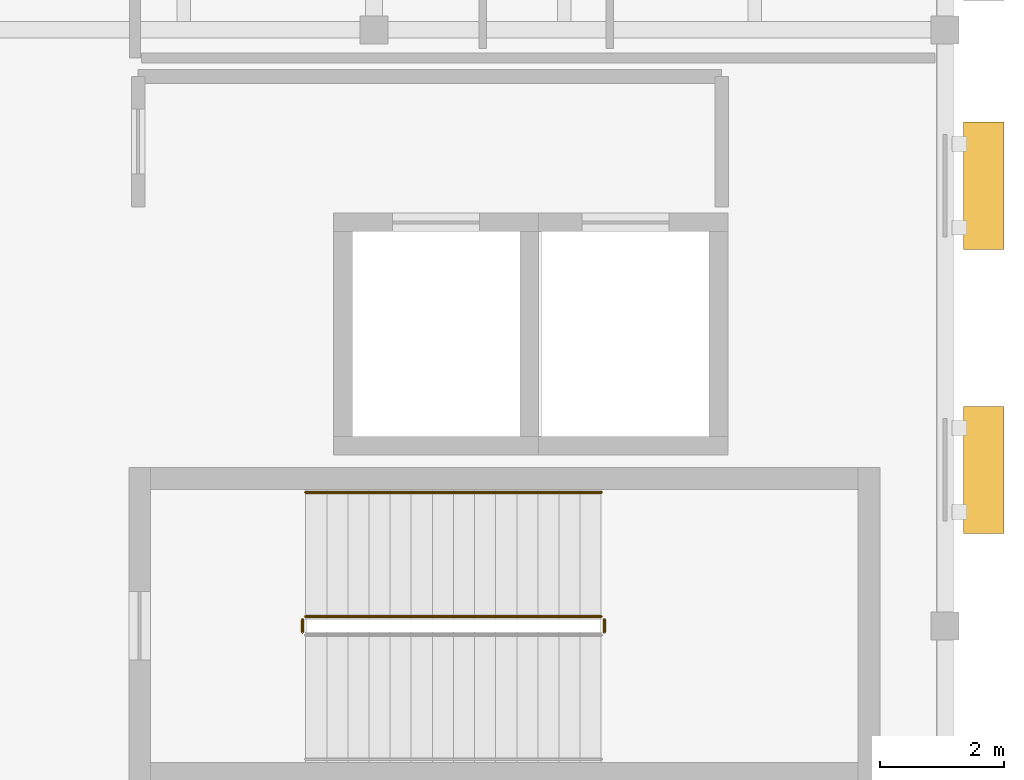
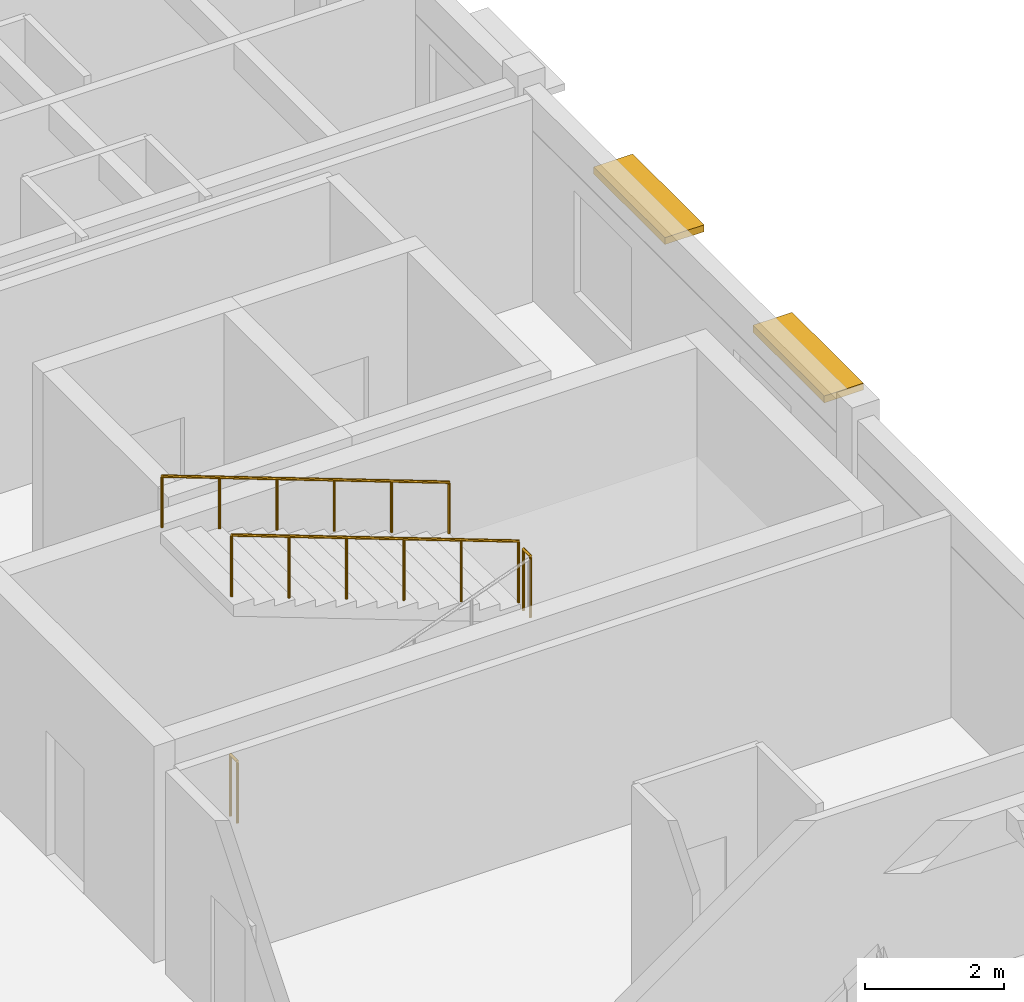
# One storey, part 15 of 18: 4 railings, 2 shading devices.
"""IFC4 building model written with IfcOpenShell, lengths in metres."""

from ifc_helpers import new_model, si_unit, direction, frame, origin, origin_2d, place, context, subcontext, project, spatial, rectangle, circle, extrude, material, type_object, element, save


model = new_model("IFC4")

# Units and contexts
model_context = context("Model", 3, precision=1e-05, world=origin(), true_north=direction((0.0, 1.0)))
body_context = subcontext(model_context, "Body", "Model", "MODEL_VIEW")
ifc_project = project(units=[si_unit("LENGTHUNIT", "METRE"), si_unit("AREAUNIT", "SQUARE_METRE"), si_unit("VOLUMEUNIT", "CUBIC_METRE"), si_unit("PLANEANGLEUNIT", "RADIAN"), si_unit("MASSUNIT", "GRAM", prefix="KILO")], contexts=[model_context])

# Site, building, storey
site_placement = place(None, origin())
site = spatial("IfcSite", under=ifc_project, at=site_placement, CompositionType="ELEMENT")
building_placement = place(site_placement, origin())
building = spatial("IfcBuilding", under=site, at=building_placement, Name="Veldera Park Congress Hotel", CompositionType="ELEMENT")
storey_placement = place(building_placement, frame((0.0, 0.0, 31.39990234375)))
storey = spatial("IfcBuildingStorey", under=building, at=storey_placement, Name="L07", CompositionType="ELEMENT", Elevation=31.39990234375)

# Railings
ifc_material_1 = material(Name="Steel ASTM A992 Gr.50", Category="steel")
railing_type_1 = type_object("IfcRailingType", Name="GRD-ST110", PredefinedType="GUARDRAIL", material=ifc_material_1)
railing_1_placement = place(storey_placement, frame((78.510009765625, -9.10009765625, 1.900146484375)))
element("IfcRailing", 1, at=railing_1_placement, inside=storey, type_object=railing_type_1, Name="L07 ST2 stair guard 2", PredefinedType="GUARDRAIL", context=body_context, shape_type="SweptSolid", body=[
    extrude(circle(Radius=0.02392578125, at=origin_2d()), frame((0.0, 0.0, 1.076171875), z_axis=(0.0, 1.0, 0.0), x_axis=(-1.0, 0.0, 0.0)), (0.0, 0.0, 1.0), 0.2001953125),
    extrude(circle(Radius=0.02099609375, at=origin_2d()), origin(), (0.0, 0.0, 1.0), 1.052001953125),
    extrude(circle(Radius=0.02099609375, at=origin_2d()), frame((0.0, 0.2001953125, 0.0)), (0.0, 0.0, 1.0), 1.052001953125),
])
railing_2_placement = place(storey_placement, frame((78.4599609375, -8.85009765625, 2.02685546875)))
element("IfcRailing", 2, at=railing_2_placement, inside=storey, type_object=railing_type_1, Name="L07 ST2 stair guard 3", PredefinedType="GUARDRAIL", context=body_context, shape_type="SweptSolid", body=[
    extrude(circle(Radius=0.02392578125, at=origin_2d()), frame((0.0, 0.0, 1.076171875), z_axis=(-0.937091363699, 0.0, 0.349084196263), x_axis=(0.0, -1.0, 0.0)), (0.0, 0.0, 1.0), 5.07958984375),
    extrude(circle(Radius=0.02099609375, at=origin_2d()), origin(), (0.0, 0.0, 1.0), 1.052001953125),
    extrude(circle(Radius=0.02099609375, at=origin_2d()), frame((-0.951904296875, 0.0, 0.354736328125)), (0.0, 0.0, 1.0), 1.052001953125),
    extrude(circle(Radius=0.02099609375, at=origin_2d()), frame((-1.904052734375, 0.0, 0.709228515625)), (0.0, 0.0, 1.0), 1.052001953125),
    extrude(circle(Radius=0.02099609375, at=origin_2d()), frame((-2.85595703125, 0.0, 1.06396484375)), (0.0, 0.0, 1.0), 1.052001953125),
    extrude(circle(Radius=0.02099609375, at=origin_2d()), frame((-3.80810546875, 0.0, 1.41845703125)), (0.0, 0.0, 1.0), 1.052001953125),
    extrude(circle(Radius=0.02099609375, at=origin_2d()), frame((-4.760009765625, 0.0, 1.773193359375)), (0.0, 0.0, 1.0), 1.052001953125),
])
railing_3_placement = place(storey_placement, frame((73.64990234375, -9.10009765625, 0.0)))
element("IfcRailing", 3, at=railing_3_placement, inside=storey, type_object=railing_type_1, Name="L07 ST2 stair guard 4", PredefinedType="GUARDRAIL", context=body_context, shape_type="SweptSolid", body=[
    extrude(circle(Radius=0.02392578125, at=origin_2d()), frame((0.0, 0.0, 1.076171875), z_axis=(0.0, 1.0, 0.0), x_axis=(-1.0, 0.0, 0.0)), (0.0, 0.0, 1.0), 0.2001953125),
    extrude(circle(Radius=0.02099609375, at=origin_2d()), origin(), (0.0, 0.0, 1.0), 1.052001953125),
    extrude(circle(Radius=0.02099609375, at=origin_2d()), frame((0.0, 0.2001953125, 0.0)), (0.0, 0.0, 1.0), 1.052001953125),
])
railing_type_2 = type_object("IfcRailingType", Name="HRL-920", PredefinedType="HANDRAIL", material=ifc_material_1)
railing_4_placement = place(storey_placement, frame((78.4599609375, -6.85009765625, 2.02685546875)))
element("IfcRailing", 4, at=railing_4_placement, inside=storey, type_object=railing_type_2, Name="L07 ST2 stair handrail 2", PredefinedType="HANDRAIL", context=body_context, shape_type="SweptSolid", body=[
    extrude(circle(Radius=0.02392578125, at=origin_2d()), frame((0.0, 0.0, 0.89599609375), z_axis=(-0.937091363699, 0.0, 0.349084196263), x_axis=(0.0, -1.0, 0.0)), (0.0, 0.0, 1.0), 5.07958984375),
    extrude(circle(Radius=0.02099609375, at=origin_2d()), origin(), (0.0, 0.0, 1.0), 0.871826171875),
    extrude(circle(Radius=0.02099609375, at=origin_2d()), frame((-0.951904296875, 0.0, 0.354736328125)), (0.0, 0.0, 1.0), 0.871826171875),
    extrude(circle(Radius=0.02099609375, at=origin_2d()), frame((-1.904052734375, 0.0, 0.709228515625)), (0.0, 0.0, 1.0), 0.871826171875),
    extrude(circle(Radius=0.02099609375, at=origin_2d()), frame((-2.85595703125, 0.0, 1.06396484375)), (0.0, 0.0, 1.0), 0.871826171875),
    extrude(circle(Radius=0.02099609375, at=origin_2d()), frame((-3.80810546875, 0.0, 1.41845703125)), (0.0, 0.0, 1.0), 0.871826171875),
    extrude(circle(Radius=0.02099609375, at=origin_2d()), frame((-4.760009765625, 0.0, 1.773193359375)), (0.0, 0.0, 1.0), 0.871826171875),
])

# Shading devices
ifc_material_2 = material(Name="Glulam GL28h (NDS 24F-V4)", Category="wood")
shading_device_type = type_object("IfcShadingDeviceType", Name="SHD-LVR300", PredefinedType="JALOUSIE", material=ifc_material_2)
for number, where, z_axis, x_axis, name in (
    (5, (84.625, -6.488525390625, 2.669921875), (0.0, 0.0, 1.0), (0.0, 1.0, 0.0), "Glulam Solar Shade 190"),
    (6, (84.625, -1.91162109375, 2.669921875), (0.0, 0.0, 1.0), (0.0, 1.0, 0.0), "Glulam Solar Shade 191"),
):
    element("IfcShadingDevice", number, at=place(storey_placement, frame(where, z_axis=z_axis, x_axis=x_axis)), inside=storey, type_object=shading_device_type, Name=name, PredefinedType="JALOUSIE", context=body_context, shape_type="SweptSolid", body=[
        extrude(rectangle(XDim=2.050048828125, YDim=0.64990234375, at=origin_2d()), origin(), (0.0, 0.0, 1.0), 0.1201171875),
    ])

save(model, "model.ifc")
